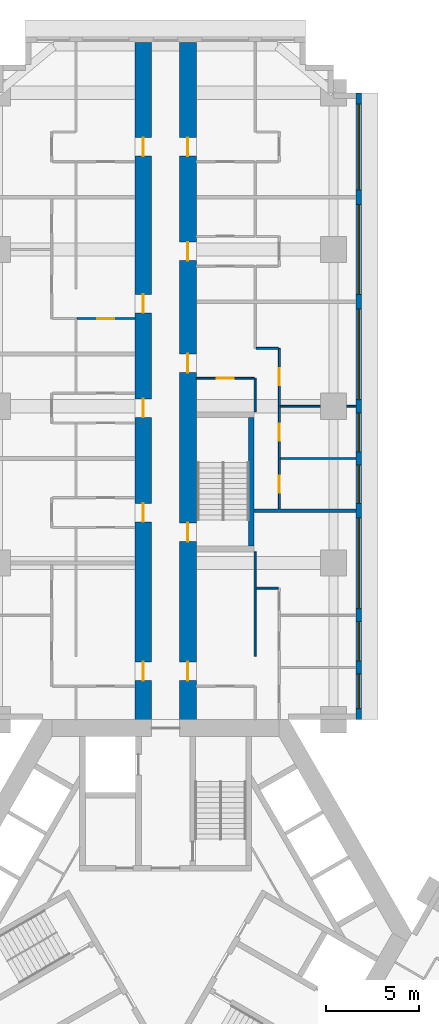
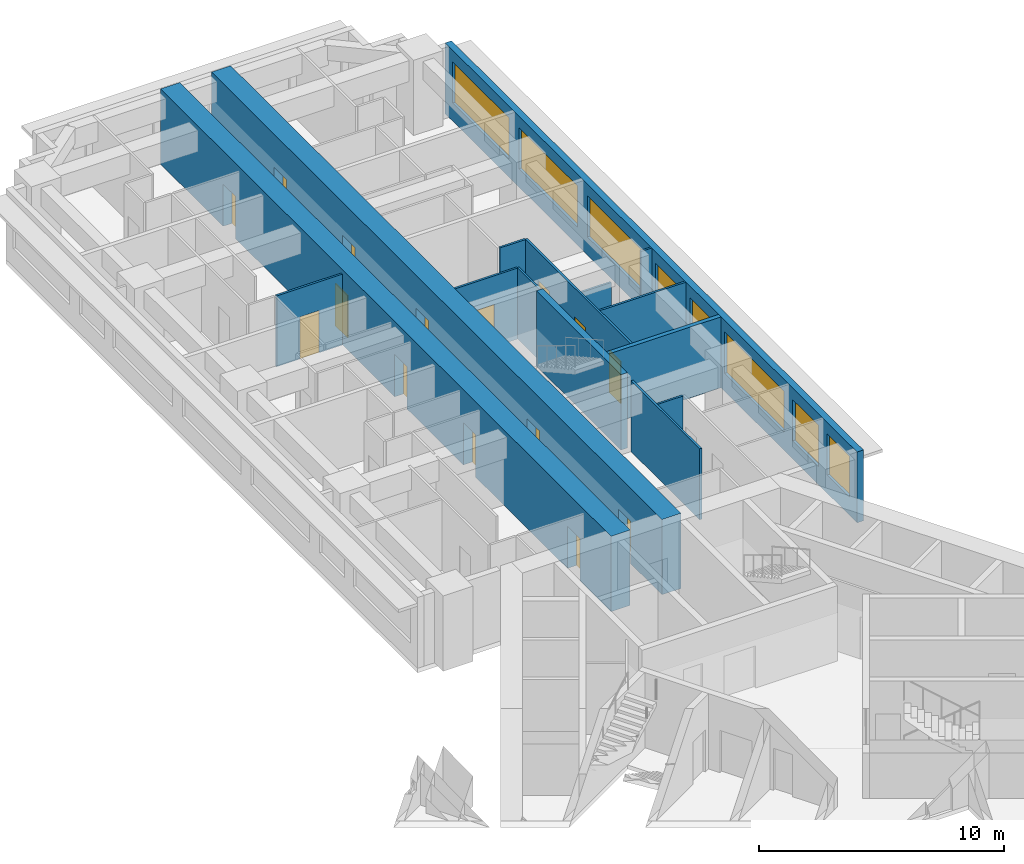
# One storey, part 10 of 16: 15 doors, 15 walls, 8 windows, 23 openings.
"""IFC4 building model written with IfcOpenShell, lengths in metres."""

import ifcopenshell
import ifcopenshell.guid

model = None  # the IFC model being written
_history = None  # IfcOwnerHistory: only IFC2X3 demands one
_inside = {}  # id of a spatial element -> (the spatial element, [elements in it])
_under = {}  # id of a project, library or spatial element -> (it, [spatial elements below it])
_declared = {}  # id of a project -> (the project, [libraries it declares])
_typed = {}  # id of a type object -> (the type object, [elements of that type])
_made_of = {}  # id of a material, layer set ... -> (it, [elements and type objects made of it])


def new_model(schema):
    """Start an empty IFC model of exactly this schema.

    Asked for "IFC4X3", IfcOpenShell would pick the latest addendum, in which some entities
    have other attributes; the version numbers below select the first issue.
    IFC2X3 requires an IfcOwnerHistory on every rooted entity: one is made here for all.
    """
    global model, _history
    if schema == "IFC4X3":
        model = ifcopenshell.file(schema_version=(4, 3, 0, 0))
    else:
        model = ifcopenshell.file(schema=schema)
    _inside.clear()
    _under.clear()
    _declared.clear()
    _typed.clear()
    _made_of.clear()
    _history = None
    if model.schema == "IFC2X3":
        org = make("IfcOrganization", Name="unknown")
        user = make(
            "IfcPersonAndOrganization",
            ThePerson=make("IfcPerson", FamilyName="unknown"),
            TheOrganization=org,
        )
        app = make(
            "IfcApplication",
            ApplicationDeveloper=org,
            Version="unknown",
            ApplicationFullName="unknown",
            ApplicationIdentifier="unknown",
        )
        _history = make(
            "IfcOwnerHistory",
            OwningUser=user,
            OwningApplication=app,
            ChangeAction="ADDED",
            CreationDate=0,
        )
    return model


def make(cls, **values):
    """One entity of the class cls with the attributes given. An attribute that is None is left unset."""
    return model.create_entity(
        cls, **{name: value for name, value in values.items() if value is not None}
    )


def rooted(cls, **values):
    """An entity with a GlobalId (a new one), such as an element, a storey or a relation."""
    return make(cls, GlobalId=ifcopenshell.guid.new(), OwnerHistory=_history, **values)


def si_unit(unit_type, name, prefix=None):
    """IfcSIUnit, for example si_unit("LENGTHUNIT", "METRE", prefix="MILLI")."""
    return make("IfcSIUnit", UnitType=unit_type, Prefix=prefix, Name=name)


def assignment(units):
    """IfcUnitAssignment: the units of a project."""
    return None if units is None else make("IfcUnitAssignment", Units=units)


def point(xyz):
    """IfcCartesianPoint."""
    return None if xyz is None else make("IfcCartesianPoint", Coordinates=xyz)


def direction(xyz):
    """IfcDirection."""
    return None if xyz is None else make("IfcDirection", DirectionRatios=xyz)


def frame(location, z_axis=None, x_axis=None):
    """IfcAxis2Placement3D, a coordinate frame: its origin and axes. An axis left out is left unset."""
    return make(
        "IfcAxis2Placement3D",
        Location=point(location),
        Axis=direction(z_axis),
        RefDirection=direction(x_axis),
    )


def frame_2d(location, x_axis=None):
    """IfcAxis2Placement2D, a coordinate frame in the plane: its origin and x axis."""
    return make(
        "IfcAxis2Placement2D", Location=point(location), RefDirection=direction(x_axis)
    )


def origin():
    """The frame at (0, 0, 0) with its axes left unset."""
    return frame((0.0, 0.0, 0.0))


def place(relative_to, where):
    """IfcLocalPlacement: puts the frame where relative to a parent placement (None: the world)."""
    return make(
        "IfcLocalPlacement", PlacementRelTo=relative_to, RelativePlacement=where
    )


def context(
    kind, dimensions, precision=None, world=None, true_north=None, identifier=None
):
    """IfcGeometricRepresentationContext, for example the 3D "Model" context."""
    return make(
        "IfcGeometricRepresentationContext",
        ContextIdentifier=identifier,
        ContextType=kind,
        CoordinateSpaceDimension=dimensions,
        Precision=precision,
        WorldCoordinateSystem=world,
        TrueNorth=true_north,
    )


def subcontext(parent, identifier, kind, view, scale=None):
    """IfcGeometricRepresentationSubContext, for example "Body" below "Model"."""
    return make(
        "IfcGeometricRepresentationSubContext",
        ContextIdentifier=identifier,
        ContextType=kind,
        ParentContext=parent,
        TargetScale=scale,
        TargetView=view,
    )


def project(units=None, contexts=None):
    """IfcProject with its units and contexts."""
    return rooted(
        "IfcProject",
        Name="project",
        RepresentationContexts=contexts,
        UnitsInContext=assignment(units),
    )


def spatial(cls, under=None, at=None, **own):
    """A site, building, storey or space (cls), placed at a placement, below another one or the project."""
    s = rooted(cls, ObjectPlacement=at, **own)
    if under is not None:
        _under.setdefault(under.id(), (under, []))[1].append(s)
    return s


def profile(cls, at=None, kind="AREA", **sizes):
    """A parametric profile (cls). Its sizes go by their IFC names, for example OverallWidth=200.0."""
    return make(cls, ProfileType=kind, Position=at, **sizes)


def rectangle(**sizes):
    """IfcRectangleProfileDef."""
    return profile("IfcRectangleProfileDef", **sizes)


def extrude(swept, where, along, depth):
    """IfcExtrudedAreaSolid: the profile swept, set in the frame where, extruded along a direction by depth."""
    return make(
        "IfcExtrudedAreaSolid",
        SweptArea=swept,
        Position=where,
        ExtrudedDirection=direction(along),
        Depth=depth,
    )


def shape(context_of_items, identifier, shape_type, items):
    """IfcShapeRepresentation: the items that make up one representation, for example the "Body"."""
    return make(
        "IfcShapeRepresentation",
        ContextOfItems=context_of_items,
        RepresentationIdentifier=identifier,
        RepresentationType=shape_type,
        Items=items,
    )


def material(Name=None, Category=None):
    """IfcMaterial."""
    return make("IfcMaterial", Name=Name, Category=Category)


def layer(
    of_material, thickness, ventilated=None, Name=None, Category=None, Priority=None
):
    """IfcMaterialLayer: one layer of a wall or slab, of a material (None: an air gap)."""
    return make(
        "IfcMaterialLayer",
        Material=of_material,
        LayerThickness=thickness,
        IsVentilated=ventilated,
        Name=Name,
        Category=Category,
        Priority=Priority,
    )


def layer_set(layers, Name=None):
    """IfcMaterialLayerSet."""
    return make("IfcMaterialLayerSet", MaterialLayers=layers, LayerSetName=Name)


def made_of(thing, what):
    """Note that an element or type object is made of a material, layer set ...; save() writes the relation."""
    if what is not None:
        _made_of.setdefault(what.id(), (what, []))[1].append(thing)
    return thing


def type_object(cls, material=None, **own):
    """A type object (cls), such as IfcWallType, which elements share."""
    return made_of(rooted(cls, **own), material)


def element(
    cls,
    number,
    at=None,
    inside=None,
    cuts=None,
    type_object=None,
    material=None,
    context=None,
    identifier="Body",
    shape_type=None,
    held_by="IfcProductDefinitionShape",
    body=None,
    shapes=None,
    **own,
):
    """One element of the class cls, such as IfcWall. Its Tag is "e" and its number.

    at: its placement. inside: the storey or other place that contains it. cuts: it is an
    opening in that element (IfcRelVoidsElement). A single representation is given by context,
    identifier, shape_type and body (its items); several are given by shapes. held_by: the class
    of the entity that holds the representations. save() writes the other relations.
    """
    e = rooted(cls, Tag="e%d" % number, ObjectPlacement=at, **own)
    if body is not None:
        shapes = [shape(context, identifier, shape_type, body)]
    if shapes is not None:
        e.Representation = make(held_by, Representations=shapes)
    if inside is not None:
        _inside.setdefault(inside.id(), (inside, []))[1].append(e)
    if cuts is not None:
        rooted(
            "IfcRelVoidsElement", RelatingBuildingElement=cuts, RelatedOpeningElement=e
        )
    if type_object is not None:
        _typed.setdefault(type_object.id(), (type_object, []))[1].append(e)
    return made_of(e, material)


def fill(opening, filler):
    """IfcRelFillsElement: the door or window that sits in an opening."""
    return rooted(
        "IfcRelFillsElement",
        RelatingOpeningElement=opening,
        RelatedBuildingElement=filler,
    )


def aggregate(whole, parts):
    """IfcRelAggregates: a whole, such as a stair, and the parts it consists of."""
    return rooted("IfcRelAggregates", RelatingObject=whole, RelatedObjects=parts)


def save(model, path):
    """Write the relations noted so far, then the file.

    IfcRelAggregates (storeys below a building ...), IfcRelContainedInSpatialStructure (elements
    in a storey), IfcRelDefinesByType, IfcRelAssociatesMaterial and IfcRelDeclares: one each for
    every whole, place, type object, material and project.
    """
    for whole, parts in _under.values():
        aggregate(whole, parts)
    for where, things in _inside.values():
        rooted(
            "IfcRelContainedInSpatialStructure",
            RelatedElements=things,
            RelatingStructure=where,
        )
    for kind, things in _typed.values():
        rooted("IfcRelDefinesByType", RelatedObjects=things, RelatingType=kind)
    for what, things in _made_of.values():
        rooted("IfcRelAssociatesMaterial", RelatedObjects=things, RelatingMaterial=what)
    for by, libraries in _declared.values():
        rooted("IfcRelDeclares", RelatingContext=by, RelatedDefinitions=libraries)
    model.write(path)


model = new_model("IFC4")

# Units and contexts
model_context = context("Model", 3, precision=1e-05, world=origin(), true_north=direction((0.0, 1.0)))
body_context = subcontext(model_context, "Body", "Model", "MODEL_VIEW")
ifc_project = project(units=[si_unit("LENGTHUNIT", "METRE"), si_unit("AREAUNIT", "SQUARE_METRE"), si_unit("VOLUMEUNIT", "CUBIC_METRE"), si_unit("PLANEANGLEUNIT", "RADIAN"), si_unit("MASSUNIT", "GRAM", prefix="KILO")], contexts=[model_context])

# Site, building, storey
site_placement = place(None, origin())
site = spatial("IfcSite", under=ifc_project, at=site_placement, CompositionType="ELEMENT")
building_placement = place(site_placement, origin())
building = spatial("IfcBuilding", under=site, at=building_placement, Name="Impinga Residences", CompositionType="ELEMENT")
storey_placement = place(building_placement, frame((0.0, 0.0, 63.5)))
storey = spatial("IfcBuildingStorey", under=building, at=storey_placement, Name="L15", CompositionType="ELEMENT", Elevation=63.5)

# Wall, openings, doors
ifc_material_1 = material(Name="Concrete C70/85", Category="concrete")
ifc_layer_1 = layer(ifc_material_1, 0.89990234375)
ifc_layer_set_1 = layer_set([ifc_layer_1], Name="Concrete C70/85")
wall_type_1 = type_object("IfcWallType", Name="BW1 corridor buttress wall, L05 to L22 900", PredefinedType="SHEAR", material=ifc_layer_set_1)
wall_1_placement = place(storey_placement, frame((-1.199951171875, 10.9814453125, 0.0), z_axis=(0.0, 0.0, 1.0), x_axis=(0.0, 1.0, 0.0)))
wall_1 = element("IfcWall", 1, at=wall_1_placement, inside=storey, type_object=wall_type_1, Name="Corridor wall BW1 NC L15", PredefinedType="SHEAR", context=body_context, shape_type="SweptSolid", body=[
    extrude(rectangle(XDim=36.75, YDim=0.89990234375, at=frame_2d((18.375, 0.0))), origin(), (0.0, 0.0, 1.0), 3.75),
])
opening_1_placement = place(wall_1_placement, frame((2.550048828125, 0.0, 0.0)))
opening_1 = element("IfcOpeningElement", 2, at=opening_1_placement, cuts=wall_1, Name="Opening D1", PredefinedType="OPENING", context=body_context, shape_type="SweptSolid", body=[
    extrude(rectangle(XDim=1.0, YDim=2.10009765625, at=frame_2d((0.5, 1.050048828125))), frame((0.0, 0.4599609375, 0.0), z_axis=(0.0, -1.0, 0.0), x_axis=(1.0, 0.0, 0.0)), (0.0, 0.0, 1.0), 0.919921875),
])
opening_2_placement = place(wall_1_placement, frame((11.050048828125, 0.0, 0.0)))
opening_2 = element("IfcOpeningElement", 3, at=opening_2_placement, cuts=wall_1, Name="Opening D1", PredefinedType="OPENING", context=body_context, shape_type="SweptSolid", body=[
    extrude(rectangle(XDim=1.0, YDim=2.10009765625, at=frame_2d((0.5, 1.050048828125))), frame((0.0, 0.4599609375, 0.0), z_axis=(0.0, -1.0, 0.0), x_axis=(1.0, 0.0, 0.0)), (0.0, 0.0, 1.0), 0.919921875),
])
opening_3_placement = place(wall_1_placement, frame((16.64990234375, 0.0, 0.0)))
opening_3 = element("IfcOpeningElement", 4, at=opening_3_placement, cuts=wall_1, Name="Opening D1", PredefinedType="OPENING", context=body_context, shape_type="SweptSolid", body=[
    extrude(rectangle(XDim=1.0, YDim=2.10009765625, at=frame_2d((0.5, 1.050048828125))), frame((0.0, 0.4599609375, 0.0), z_axis=(0.0, -1.0, 0.0), x_axis=(1.0, 0.0, 0.0)), (0.0, 0.0, 1.0), 0.919921875),
])
opening_4_placement = place(wall_1_placement, frame((22.25, 0.0, 0.0)))
opening_4 = element("IfcOpeningElement", 5, at=opening_4_placement, cuts=wall_1, Name="Opening D1", PredefinedType="OPENING", context=body_context, shape_type="SweptSolid", body=[
    extrude(rectangle(XDim=1.0, YDim=2.10009765625, at=frame_2d((0.5, 1.050048828125))), frame((0.0, 0.4599609375, 0.0), z_axis=(0.0, -1.0, 0.0), x_axis=(1.0, 0.0, 0.0)), (0.0, 0.0, 1.0), 0.919921875),
])
opening_5_placement = place(wall_1_placement, frame((30.64990234375, 0.0, 0.0)))
opening_5 = element("IfcOpeningElement", 6, at=opening_5_placement, cuts=wall_1, Name="Opening D1", PredefinedType="OPENING", context=body_context, shape_type="SweptSolid", body=[
    extrude(rectangle(XDim=1.0, YDim=2.10009765625, at=frame_2d((0.5, 1.050048828125))), frame((0.0, 0.4599609375, 0.0), z_axis=(0.0, -1.0, 0.0), x_axis=(1.0, 0.0, 0.0)), (0.0, 0.0, 1.0), 0.919921875),
])
ifc_material_2 = material(Name="Timber door set", Category="wood")
door_type_1 = type_object("IfcDoorType", Name="D1 apartment entrance door 1000x2100", OperationType="SINGLE_SWING_LEFT", PredefinedType="DOOR", material=ifc_material_2)
door_1_placement = place(opening_1_placement, origin())
door_1 = element("IfcDoor", 7, at=door_1_placement, inside=storey, type_object=door_type_1, Name="Apartment L15-NA1 entrance", OperationType="SINGLE_SWING_LEFT", OverallHeight=2.10009765625, OverallWidth=1.0, PredefinedType="DOOR", context=body_context, shape_type="SweptSolid", body=[
    extrude(rectangle(XDim=1.0, YDim=2.10009765625, at=frame_2d((0.5, 1.050048828125))), frame((0.0, 0.02490234375, 0.0), z_axis=(0.0, -1.0, 0.0), x_axis=(1.0, 0.0, 0.0)), (0.0, 0.0, 1.0), 0.050048828125),
])
fill(opening_1, door_1)
door_2_placement = place(opening_2_placement, origin())
door_2 = element("IfcDoor", 8, at=door_2_placement, inside=storey, type_object=door_type_1, Name="Apartment L15-NA2 entrance", OperationType="SINGLE_SWING_LEFT", OverallHeight=2.10009765625, OverallWidth=1.0, PredefinedType="DOOR", context=body_context, shape_type="SweptSolid", body=[
    extrude(rectangle(XDim=1.0, YDim=2.10009765625, at=frame_2d((0.5, 1.050048828125))), frame((0.0, 0.02490234375, 0.0), z_axis=(0.0, -1.0, 0.0), x_axis=(1.0, 0.0, 0.0)), (0.0, 0.0, 1.0), 0.050048828125),
])
fill(opening_2, door_2)
door_3_placement = place(opening_3_placement, origin())
door_3 = element("IfcDoor", 9, at=door_3_placement, inside=storey, type_object=door_type_1, Name="Apartment L15-NA3 entrance", OperationType="SINGLE_SWING_LEFT", OverallHeight=2.10009765625, OverallWidth=1.0, PredefinedType="DOOR", context=body_context, shape_type="SweptSolid", body=[
    extrude(rectangle(XDim=1.0, YDim=2.10009765625, at=frame_2d((0.5, 1.050048828125))), frame((0.0, 0.02490234375, 0.0), z_axis=(0.0, -1.0, 0.0), x_axis=(1.0, 0.0, 0.0)), (0.0, 0.0, 1.0), 0.050048828125),
])
fill(opening_3, door_3)
door_4_placement = place(opening_4_placement, origin())
door_4 = element("IfcDoor", 10, at=door_4_placement, inside=storey, type_object=door_type_1, Name="Apartment L15-NA4 entrance", OperationType="SINGLE_SWING_RIGHT", OverallHeight=2.10009765625, OverallWidth=1.0, PredefinedType="DOOR", context=body_context, shape_type="SweptSolid", body=[
    extrude(rectangle(XDim=1.0, YDim=2.10009765625, at=frame_2d((0.5, 1.050048828125))), frame((0.0, 0.02490234375, 0.0), z_axis=(0.0, -1.0, 0.0), x_axis=(1.0, 0.0, 0.0)), (0.0, 0.0, 1.0), 0.050048828125),
])
fill(opening_4, door_4)
door_5_placement = place(opening_5_placement, origin())
door_5 = element("IfcDoor", 11, at=door_5_placement, inside=storey, type_object=door_type_1, Name="Apartment L15-NA5 entrance", OperationType="SINGLE_SWING_RIGHT", OverallHeight=2.10009765625, OverallWidth=1.0, PredefinedType="DOOR", context=body_context, shape_type="SweptSolid", body=[
    extrude(rectangle(XDim=1.0, YDim=2.10009765625, at=frame_2d((0.5, 1.050048828125))), frame((0.0, 0.02490234375, 0.0), z_axis=(0.0, -1.0, 0.0), x_axis=(1.0, 0.0, 0.0)), (0.0, 0.0, 1.0), 0.050048828125),
])
fill(opening_5, door_5)

wall_2_placement = place(storey_placement, frame((1.199951171875, 10.9814453125, 0.0), z_axis=(0.0, 0.0, 1.0), x_axis=(0.0, 1.0, 0.0)))
wall_2 = element("IfcWall", 12, at=wall_2_placement, inside=storey, type_object=wall_type_1, Name="Corridor wall BW1 ND L15", PredefinedType="SHEAR", context=body_context, shape_type="SweptSolid", body=[
    extrude(rectangle(XDim=36.75, YDim=0.89990234375, at=frame_2d((18.375, 0.0))), origin(), (0.0, 0.0, 1.0), 3.75),
])
opening_6_placement = place(wall_2_placement, frame((10.0, 0.0, 0.0)))
opening_6 = element("IfcOpeningElement", 13, at=opening_6_placement, cuts=wall_2, Name="Opening D5", PredefinedType="OPENING", context=body_context, shape_type="SweptSolid", body=[
    extrude(rectangle(XDim=1.0, YDim=2.10009765625, at=frame_2d((0.5, 1.050048828125))), frame((0.0, 0.4599609375, 0.0), z_axis=(0.0, -1.0, 0.0), x_axis=(1.0, 0.0, 0.0)), (0.0, 0.0, 1.0), 0.919921875),
])
opening_7_placement = place(wall_2_placement, frame((2.550048828125, 0.0, 0.0)))
opening_7 = element("IfcOpeningElement", 14, at=opening_7_placement, cuts=wall_2, Name="Opening D1", PredefinedType="OPENING", context=body_context, shape_type="SweptSolid", body=[
    extrude(rectangle(XDim=1.0, YDim=2.10009765625, at=frame_2d((0.5, 1.050048828125))), frame((0.0, 0.4599609375, 0.0), z_axis=(0.0, -1.0, 0.0), x_axis=(1.0, 0.0, 0.0)), (0.0, 0.0, 1.0), 0.919921875),
])
opening_8_placement = place(wall_2_placement, frame((19.050048828125, 0.0, 0.0)))
opening_8 = element("IfcOpeningElement", 15, at=opening_8_placement, cuts=wall_2, Name="Opening D1", PredefinedType="OPENING", context=body_context, shape_type="SweptSolid", body=[
    extrude(rectangle(XDim=1.0, YDim=2.10009765625, at=frame_2d((0.5, 1.050048828125))), frame((0.0, 0.4599609375, 0.0), z_axis=(0.0, -1.0, 0.0), x_axis=(1.0, 0.0, 0.0)), (0.0, 0.0, 1.0), 0.919921875),
])
opening_9_placement = place(wall_2_placement, frame((25.050048828125, 0.0, 0.0)))
opening_9 = element("IfcOpeningElement", 16, at=opening_9_placement, cuts=wall_2, Name="Opening D1", PredefinedType="OPENING", context=body_context, shape_type="SweptSolid", body=[
    extrude(rectangle(XDim=1.0, YDim=2.10009765625, at=frame_2d((0.5, 1.050048828125))), frame((0.0, 0.4599609375, 0.0), z_axis=(0.0, -1.0, 0.0), x_axis=(1.0, 0.0, 0.0)), (0.0, 0.0, 1.0), 0.919921875),
])
opening_10_placement = place(wall_2_placement, frame((30.64990234375, 0.0, 0.0)))
opening_10 = element("IfcOpeningElement", 17, at=opening_10_placement, cuts=wall_2, Name="Opening D1", PredefinedType="OPENING", context=body_context, shape_type="SweptSolid", body=[
    extrude(rectangle(XDim=1.0, YDim=2.10009765625, at=frame_2d((0.5, 1.050048828125))), frame((0.0, 0.4599609375, 0.0), z_axis=(0.0, -1.0, 0.0), x_axis=(1.0, 0.0, 0.0)), (0.0, 0.0, 1.0), 0.919921875),
])
door_6_placement = place(opening_7_placement, origin())
door_6 = element("IfcDoor", 18, at=door_6_placement, inside=storey, type_object=door_type_1, Name="Apartment L15-NF1 entrance", OperationType="SINGLE_SWING_LEFT", OverallHeight=2.10009765625, OverallWidth=1.0, PredefinedType="DOOR", context=body_context, shape_type="SweptSolid", body=[
    extrude(rectangle(XDim=1.0, YDim=2.10009765625, at=frame_2d((0.5, 1.050048828125))), frame((0.0, 0.02490234375, 0.0), z_axis=(0.0, -1.0, 0.0), x_axis=(1.0, 0.0, 0.0)), (0.0, 0.0, 1.0), 0.050048828125),
])
fill(opening_7, door_6)
door_7_placement = place(opening_8_placement, origin())
door_7 = element("IfcDoor", 19, at=door_7_placement, inside=storey, type_object=door_type_1, Name="Apartment L15-NF2 entrance", OperationType="SINGLE_SWING_RIGHT", OverallHeight=2.10009765625, OverallWidth=1.0, PredefinedType="DOOR", context=body_context, shape_type="SweptSolid", body=[
    extrude(rectangle(XDim=1.0, YDim=2.10009765625, at=frame_2d((0.5, 1.050048828125))), frame((0.0, 0.02490234375, 0.0), z_axis=(0.0, -1.0, 0.0), x_axis=(1.0, 0.0, 0.0)), (0.0, 0.0, 1.0), 0.050048828125),
])
fill(opening_8, door_7)
door_8_placement = place(opening_9_placement, origin())
door_8 = element("IfcDoor", 20, at=door_8_placement, inside=storey, type_object=door_type_1, Name="Apartment L15-NF3 entrance", OperationType="SINGLE_SWING_RIGHT", OverallHeight=2.10009765625, OverallWidth=1.0, PredefinedType="DOOR", context=body_context, shape_type="SweptSolid", body=[
    extrude(rectangle(XDim=1.0, YDim=2.10009765625, at=frame_2d((0.5, 1.050048828125))), frame((0.0, 0.02490234375, 0.0), z_axis=(0.0, -1.0, 0.0), x_axis=(1.0, 0.0, 0.0)), (0.0, 0.0, 1.0), 0.050048828125),
])
fill(opening_9, door_8)
door_9_placement = place(opening_10_placement, origin())
door_9 = element("IfcDoor", 21, at=door_9_placement, inside=storey, type_object=door_type_1, Name="Apartment L15-NF4 entrance", OperationType="SINGLE_SWING_RIGHT", OverallHeight=2.10009765625, OverallWidth=1.0, PredefinedType="DOOR", context=body_context, shape_type="SweptSolid", body=[
    extrude(rectangle(XDim=1.0, YDim=2.10009765625, at=frame_2d((0.5, 1.050048828125))), frame((0.0, 0.02490234375, 0.0), z_axis=(0.0, -1.0, 0.0), x_axis=(1.0, 0.0, 0.0)), (0.0, 0.0, 1.0), 0.050048828125),
])
fill(opening_10, door_9)
door_type_2 = type_object("IfcDoorType", Name="D5 stair door 1000x2100", OperationType="SINGLE_SWING_LEFT", PredefinedType="DOOR", material=ifc_material_2)
door_10_placement = place(opening_6_placement, origin())
door_10 = element("IfcDoor", 22, at=door_10_placement, inside=storey, type_object=door_type_2, Name="Wing stair door N", OperationType="SINGLE_SWING_LEFT", OverallHeight=2.10009765625, OverallWidth=1.0, PredefinedType="DOOR", context=body_context, shape_type="SweptSolid", body=[
    extrude(rectangle(XDim=1.0, YDim=2.10009765625, at=frame_2d((0.5, 1.050048828125))), frame((0.0, 0.02490234375, 0.0), z_axis=(0.0, -1.0, 0.0), x_axis=(1.0, 0.0, 0.0)), (0.0, 0.0, 1.0), 0.050048828125),
])
fill(opening_6, door_10)

# Wall, openings, windows
ifc_material_3 = material(Name="Terracotta rainscreen on blockwork", Category="masonry")
ifc_layer_2 = layer(ifc_material_3, 0.300048828125)
ifc_layer_set_2 = layer_set([ifc_layer_2], Name="EW1 external wall, terracotta rainscreen on blockwork 300")
wall_type_2 = type_object("IfcWallType", Name="EW1 external wall, terracotta rainscreen on blockwork 300", PredefinedType="SOLIDWALL", material=ifc_layer_set_2)
wall_3_placement = place(storey_placement, frame((10.35009765625, 45.031494140625, 0.0), z_axis=(0.0, 0.0, 1.0), x_axis=(0.0, -1.0, 0.0)))
wall_3 = element("IfcWall", 23, at=wall_3_placement, inside=storey, type_object=wall_type_2, Name="External wall EW1 L15", PredefinedType="SOLIDWALL", context=body_context, shape_type="SweptSolid", body=[
    extrude(rectangle(XDim=33.599853515625, YDim=0.300048828125, at=frame_2d((16.7998046875, 0.0))), origin(), (0.0, 0.0, 1.0), 3.530029296875),
])
opening_11_placement = place(wall_3_placement, frame((0.60009765625, 0.0, 0.89990234375)))
opening_11 = element("IfcOpeningElement", 24, at=opening_11_placement, cuts=wall_3, Name="Opening W3", PredefinedType="OPENING", context=body_context, shape_type="SweptSolid", body=[
    extrude(rectangle(XDim=4.60009765625, YDim=2.050048828125, at=frame_2d((2.300048828125, 1.02490234375))), frame((0.0, 0.159912109375, 0.0), z_axis=(0.0, -1.0, 0.0), x_axis=(1.0, 0.0, 0.0)), (0.0, 0.0, 1.0), 0.320068359375),
])
opening_12_placement = place(wall_3_placement, frame((6.0, 0.0, 0.89990234375)))
opening_12 = element("IfcOpeningElement", 25, at=opening_12_placement, cuts=wall_3, Name="Opening W8", PredefinedType="OPENING", context=body_context, shape_type="SweptSolid", body=[
    extrude(rectangle(XDim=4.800048828125, YDim=2.050048828125, at=frame_2d((2.39990234375, 1.02490234375))), frame((0.0, 0.159912109375, 0.0), z_axis=(0.0, -1.0, 0.0), x_axis=(1.0, 0.0, 0.0)), (0.0, 0.0, 1.0), 0.320068359375),
])
opening_13_placement = place(wall_3_placement, frame((11.60009765625, 0.0, 0.89990234375)))
opening_13 = element("IfcOpeningElement", 26, at=opening_13_placement, cuts=wall_3, Name="Opening W6", PredefinedType="OPENING", context=body_context, shape_type="SweptSolid", body=[
    extrude(rectangle(XDim=4.85009765625, YDim=2.050048828125, at=frame_2d((2.425048828125, 1.02490234375))), frame((0.0, 0.159912109375, 0.0), z_axis=(0.0, -1.0, 0.0), x_axis=(1.0, 0.0, 0.0)), (0.0, 0.0, 1.0), 0.320068359375),
])
opening_14_placement = place(wall_3_placement, frame((17.14990234375, 0.0, 0.89990234375)))
opening_14 = element("IfcOpeningElement", 27, at=opening_14_placement, cuts=wall_3, Name="Opening W9", PredefinedType="OPENING", context=body_context, shape_type="SweptSolid", body=[
    extrude(rectangle(XDim=2.10009765625, YDim=2.050048828125, at=frame_2d((1.050048828125, 1.02490234375))), frame((0.0, 0.159912109375, 0.0), z_axis=(0.0, -1.0, 0.0), x_axis=(1.0, 0.0, 0.0)), (0.0, 0.0, 1.0), 0.320068359375),
])
opening_15_placement = place(wall_3_placement, frame((19.949951171875, 0.0, 0.89990234375)))
opening_15 = element("IfcOpeningElement", 28, at=opening_15_placement, cuts=wall_3, Name="Opening W14", PredefinedType="OPENING", context=body_context, shape_type="SweptSolid", body=[
    extrude(rectangle(XDim=2.050048828125, YDim=2.050048828125, at=frame_2d((1.02490234375, 1.02490234375))), frame((0.0, 0.159912109375, 0.0), z_axis=(0.0, -1.0, 0.0), x_axis=(1.0, 0.0, 0.0)), (0.0, 0.0, 1.0), 0.320068359375),
])
opening_16_placement = place(wall_3_placement, frame((22.800048828125, 0.0, 0.89990234375)))
opening_16 = element("IfcOpeningElement", 29, at=opening_16_placement, cuts=wall_3, Name="Opening W6", PredefinedType="OPENING", context=body_context, shape_type="SweptSolid", body=[
    extrude(rectangle(XDim=4.85009765625, YDim=2.050048828125, at=frame_2d((2.425048828125, 1.02490234375))), frame((0.0, 0.159912109375, 0.0), z_axis=(0.0, -1.0, 0.0), x_axis=(1.0, 0.0, 0.0)), (0.0, 0.0, 1.0), 0.320068359375),
])
opening_17_placement = place(wall_3_placement, frame((28.35009765625, 0.0, 0.89990234375)))
opening_17 = element("IfcOpeningElement", 30, at=opening_17_placement, cuts=wall_3, Name="Opening W9", PredefinedType="OPENING", context=body_context, shape_type="SweptSolid", body=[
    extrude(rectangle(XDim=2.10009765625, YDim=2.050048828125, at=frame_2d((1.050048828125, 1.02490234375))), frame((0.0, 0.159912109375, 0.0), z_axis=(0.0, -1.0, 0.0), x_axis=(1.0, 0.0, 0.0)), (0.0, 0.0, 1.0), 0.320068359375),
])
opening_18_placement = place(wall_3_placement, frame((31.14990234375, 0.0, 0.89990234375)))
opening_18 = element("IfcOpeningElement", 31, at=opening_18_placement, cuts=wall_3, Name="Opening W15", PredefinedType="OPENING", context=body_context, shape_type="SweptSolid", body=[
    extrude(rectangle(XDim=1.85009765625, YDim=2.050048828125, at=frame_2d((0.925048828125, 1.02490234375))), frame((0.0, 0.159912109375, 0.0), z_axis=(0.0, -1.0, 0.0), x_axis=(1.0, 0.0, 0.0)), (0.0, 0.0, 1.0), 0.320068359375),
])
ifc_material_4 = material(Name="Aluminium window, clear double glazing", Category="aluminium")
window_type_1 = type_object("IfcWindowType", Name="W14 ribbon window 2050x2050", PartitioningType="SINGLE_PANEL", PredefinedType="WINDOW", material=ifc_material_4)
window_1_placement = place(opening_15_placement, origin())
window_1 = element("IfcWindow", 32, at=window_1_placement, inside=storey, type_object=window_type_1, Name="Window L15", OverallHeight=2.050048828125, OverallWidth=2.050048828125, PartitioningType="SINGLE_PANEL", PredefinedType="WINDOW", context=body_context, shape_type="SweptSolid", body=[
    extrude(rectangle(XDim=2.050048828125, YDim=2.050048828125, at=frame_2d((1.02490234375, 1.02490234375))), frame((0.0, 0.030029296875, 0.0), z_axis=(0.0, -1.0, 0.0), x_axis=(1.0, 0.0, 0.0)), (0.0, 0.0, 1.0), 0.06005859375),
])
fill(opening_15, window_1)
window_type_2 = type_object("IfcWindowType", Name="W15 ribbon window 1850x2050", PartitioningType="SINGLE_PANEL", PredefinedType="WINDOW", material=ifc_material_4)
window_2_placement = place(opening_18_placement, origin())
window_2 = element("IfcWindow", 33, at=window_2_placement, inside=storey, type_object=window_type_2, Name="Window L15", OverallHeight=2.050048828125, OverallWidth=1.85009765625, PartitioningType="SINGLE_PANEL", PredefinedType="WINDOW", context=body_context, shape_type="SweptSolid", body=[
    extrude(rectangle(XDim=1.85009765625, YDim=2.050048828125, at=frame_2d((0.925048828125, 1.02490234375))), frame((0.0, 0.030029296875, 0.0), z_axis=(0.0, -1.0, 0.0), x_axis=(1.0, 0.0, 0.0)), (0.0, 0.0, 1.0), 0.06005859375),
])
fill(opening_18, window_2)
window_type_3 = type_object("IfcWindowType", Name="W3 ribbon window 4600x2050", PartitioningType="SINGLE_PANEL", PredefinedType="WINDOW", material=ifc_material_4)
window_3_placement = place(opening_11_placement, origin())
window_3 = element("IfcWindow", 34, at=window_3_placement, inside=storey, type_object=window_type_3, Name="Window L15", OverallHeight=2.050048828125, OverallWidth=4.60009765625, PartitioningType="SINGLE_PANEL", PredefinedType="WINDOW", context=body_context, shape_type="SweptSolid", body=[
    extrude(rectangle(XDim=4.60009765625, YDim=2.050048828125, at=frame_2d((2.300048828125, 1.02490234375))), frame((0.0, 0.030029296875, 0.0), z_axis=(0.0, -1.0, 0.0), x_axis=(1.0, 0.0, 0.0)), (0.0, 0.0, 1.0), 0.06005859375),
])
fill(opening_11, window_3)
window_type_4 = type_object("IfcWindowType", Name="W6 ribbon window 4850x2050", PartitioningType="SINGLE_PANEL", PredefinedType="WINDOW", material=ifc_material_4)
window_4_placement = place(opening_13_placement, origin())
window_4 = element("IfcWindow", 35, at=window_4_placement, inside=storey, type_object=window_type_4, Name="Window L15", OverallHeight=2.050048828125, OverallWidth=4.85009765625, PartitioningType="SINGLE_PANEL", PredefinedType="WINDOW", context=body_context, shape_type="SweptSolid", body=[
    extrude(rectangle(XDim=4.85009765625, YDim=2.050048828125, at=frame_2d((2.425048828125, 1.02490234375))), frame((0.0, 0.030029296875, 0.0), z_axis=(0.0, -1.0, 0.0), x_axis=(1.0, 0.0, 0.0)), (0.0, 0.0, 1.0), 0.06005859375),
])
fill(opening_13, window_4)
window_5_placement = place(opening_16_placement, origin())
window_5 = element("IfcWindow", 36, at=window_5_placement, inside=storey, type_object=window_type_4, Name="Window L15", OverallHeight=2.050048828125, OverallWidth=4.85009765625, PartitioningType="SINGLE_PANEL", PredefinedType="WINDOW", context=body_context, shape_type="SweptSolid", body=[
    extrude(rectangle(XDim=4.85009765625, YDim=2.050048828125, at=frame_2d((2.425048828125, 1.02490234375))), frame((0.0, 0.030029296875, 0.0), z_axis=(0.0, -1.0, 0.0), x_axis=(1.0, 0.0, 0.0)), (0.0, 0.0, 1.0), 0.06005859375),
])
fill(opening_16, window_5)
window_type_5 = type_object("IfcWindowType", Name="W8 ribbon window 4800x2050", PartitioningType="SINGLE_PANEL", PredefinedType="WINDOW", material=ifc_material_4)
window_6_placement = place(opening_12_placement, origin())
window_6 = element("IfcWindow", 37, at=window_6_placement, inside=storey, type_object=window_type_5, Name="Window L15", OverallHeight=2.050048828125, OverallWidth=4.800048828125, PartitioningType="SINGLE_PANEL", PredefinedType="WINDOW", context=body_context, shape_type="SweptSolid", body=[
    extrude(rectangle(XDim=4.800048828125, YDim=2.050048828125, at=frame_2d((2.39990234375, 1.02490234375))), frame((0.0, 0.030029296875, 0.0), z_axis=(0.0, -1.0, 0.0), x_axis=(1.0, 0.0, 0.0)), (0.0, 0.0, 1.0), 0.06005859375),
])
fill(opening_12, window_6)
window_type_6 = type_object("IfcWindowType", Name="W9 ribbon window 2100x2050", PartitioningType="SINGLE_PANEL", PredefinedType="WINDOW", material=ifc_material_4)
window_7_placement = place(opening_14_placement, origin())
window_7 = element("IfcWindow", 38, at=window_7_placement, inside=storey, type_object=window_type_6, Name="Window L15", OverallHeight=2.050048828125, OverallWidth=2.10009765625, PartitioningType="SINGLE_PANEL", PredefinedType="WINDOW", context=body_context, shape_type="SweptSolid", body=[
    extrude(rectangle(XDim=2.10009765625, YDim=2.050048828125, at=frame_2d((1.050048828125, 1.02490234375))), frame((0.0, 0.030029296875, 0.0), z_axis=(0.0, -1.0, 0.0), x_axis=(1.0, 0.0, 0.0)), (0.0, 0.0, 1.0), 0.06005859375),
])
fill(opening_14, window_7)
window_8_placement = place(opening_17_placement, origin())
window_8 = element("IfcWindow", 39, at=window_8_placement, inside=storey, type_object=window_type_6, Name="Window L15", OverallHeight=2.050048828125, OverallWidth=2.10009765625, PartitioningType="SINGLE_PANEL", PredefinedType="WINDOW", context=body_context, shape_type="SweptSolid", body=[
    extrude(rectangle(XDim=2.10009765625, YDim=2.050048828125, at=frame_2d((1.050048828125, 1.02490234375))), frame((0.0, 0.030029296875, 0.0), z_axis=(0.0, -1.0, 0.0), x_axis=(1.0, 0.0, 0.0)), (0.0, 0.0, 1.0), 0.06005859375),
])
fill(opening_17, window_8)

# Wall, opening, door
ifc_material_5 = material(Name="Gypsum board on steel studs", Category="steel")
ifc_layer_3 = layer(ifc_material_5, 0.10009765625)
ifc_layer_set_3 = layer_set([ifc_layer_3], Name="Gypsum board on steel studs")
wall_type_3 = type_object("IfcWallType", Name="IP1 partition 100", PredefinedType="PARTITIONING", material=ifc_layer_set_3)
wall_4_placement = place(storey_placement, frame((-1.64990234375, 32.931640625, 0.0), z_axis=(0.0, 0.0, 1.0), x_axis=(-1.0, 0.0, 0.0)))
wall_4 = element("IfcWall", 40, at=wall_4_placement, inside=storey, type_object=wall_type_3, Name="Partition L15-NA4:IB1", PredefinedType="PARTITIONING", context=body_context, shape_type="SweptSolid", body=[
    extrude(rectangle(XDim=3.10009765625, YDim=0.10009765625, at=frame_2d((1.550048828125, 0.0))), origin(), (0.0, 0.0, 1.0), 3.530029296875),
])
opening_19_placement = place(wall_4_placement, frame((1.10009765625, 0.0, 0.0)))
opening_19 = element("IfcOpeningElement", 41, at=opening_19_placement, cuts=wall_4, Name="Opening D2", PredefinedType="OPENING", context=body_context, shape_type="SweptSolid", body=[
    extrude(rectangle(XDim=0.89990234375, YDim=2.10009765625, at=frame_2d((0.449951171875, 1.050048828125))), frame((0.0, 0.06005859375, 0.0), z_axis=(0.0, -1.0, 0.0), x_axis=(1.0, 0.0, 0.0)), (0.0, 0.0, 1.0), 0.1201171875),
])
door_type_3 = type_object("IfcDoorType", Name="D2 internal door 900x2100", OperationType="SINGLE_SWING_LEFT", PredefinedType="DOOR", material=ifc_material_2)
door_11_placement = place(opening_19_placement, origin())
door_11 = element("IfcDoor", 42, at=door_11_placement, inside=storey, type_object=door_type_3, Name="Apartment L15-NA4 bathroom door", OperationType="SINGLE_SWING_LEFT", OverallHeight=2.10009765625, OverallWidth=0.89990234375, PredefinedType="DOOR", context=body_context, shape_type="SweptSolid", body=[
    extrude(rectangle(XDim=0.89990234375, YDim=2.10009765625, at=frame_2d((0.449951171875, 1.050048828125))), frame((0.0, 0.02490234375, 0.0), z_axis=(0.0, -1.0, 0.0), x_axis=(1.0, 0.0, 0.0)), (0.0, 0.0, 1.0), 0.050048828125),
])
fill(opening_19, door_11)

# Walls
wall_5_placement = place(storey_placement, frame((4.800048828125, 14.83154296875, 0.0), z_axis=(0.0, 0.0, 1.0), x_axis=(0.0, 1.0, 0.0)))
element("IfcWall", 43, at=wall_5_placement, inside=storey, type_object=wall_type_3, Name="Partition L15-NF1:DIV1", PredefinedType="PARTITIONING", context=body_context, shape_type="SweptSolid", body=[
    extrude(rectangle(XDim=5.60009765625, YDim=0.10009765625, at=frame_2d((2.800048828125, 0.0))), origin(), (0.0, 0.0, 1.0), 3.530029296875),
])
wall_6_placement = place(storey_placement, frame((4.85009765625, 18.4814453125, 0.0), z_axis=(0.0, 0.0, 1.0), x_axis=(1.0, 0.0, 0.0)))
element("IfcWall", 44, at=wall_6_placement, inside=storey, type_object=wall_type_3, Name="Partition L15-NF1:SE1", PredefinedType="PARTITIONING", context=body_context, shape_type="SweptSolid", body=[
    extrude(rectangle(XDim=1.199951171875, YDim=0.10009765625, at=frame_2d((0.60009765625, 0.0))), origin(), (0.0, 0.0, 1.0), 3.530029296875),
])
wall_7_placement = place(storey_placement, frame((4.800048828125, 27.931640625, 0.0), z_axis=(0.0, 0.0, 1.0), x_axis=(0.0, 1.0, 0.0)))
element("IfcWall", 45, at=wall_7_placement, inside=storey, type_object=wall_type_3, Name="Partition L15-NF2:DIV0", PredefinedType="PARTITIONING", context=body_context, shape_type="SweptSolid", body=[
    extrude(rectangle(XDim=1.7998046875, YDim=0.10009765625, at=frame_2d((0.89990234375, 0.0))), origin(), (0.0, 0.0, 1.0), 3.530029296875),
])

# Wall, openings, doors
wall_8_placement = place(storey_placement, frame((6.10009765625, 22.7314453125, 0.0), z_axis=(0.0, 0.0, 1.0), x_axis=(0.0, 1.0, 0.0)))
wall_8 = element("IfcWall", 46, at=wall_8_placement, inside=storey, type_object=wall_type_3, Name="Partition L15-NF2:STRIP", PredefinedType="PARTITIONING", context=body_context, shape_type="SweptSolid", body=[
    extrude(rectangle(XDim=8.60009765625, YDim=0.10009765625, at=frame_2d((4.300048828125, 0.0))), origin(), (0.0, 0.0, 1.0), 3.530029296875),
])
opening_20_placement = place(wall_8_placement, frame((0.875, 0.0, 0.0)))
opening_20 = element("IfcOpeningElement", 47, at=opening_20_placement, cuts=wall_8, Name="Opening D2", PredefinedType="OPENING", context=body_context, shape_type="SweptSolid", body=[
    extrude(rectangle(XDim=0.89990234375, YDim=2.10009765625, at=frame_2d((0.449951171875, 1.050048828125))), frame((0.0, 0.06005859375, 0.0), z_axis=(0.0, -1.0, 0.0), x_axis=(1.0, 0.0, 0.0)), (0.0, 0.0, 1.0), 0.1201171875),
])
opening_21_placement = place(wall_8_placement, frame((3.64990234375, 0.0, 0.0)))
opening_21 = element("IfcOpeningElement", 48, at=opening_21_placement, cuts=wall_8, Name="Opening D2", PredefinedType="OPENING", context=body_context, shape_type="SweptSolid", body=[
    extrude(rectangle(XDim=0.89990234375, YDim=2.10009765625, at=frame_2d((0.449951171875, 1.050048828125))), frame((0.0, 0.06005859375, 0.0), z_axis=(0.0, -1.0, 0.0), x_axis=(1.0, 0.0, 0.0)), (0.0, 0.0, 1.0), 0.1201171875),
])
opening_22_placement = place(wall_8_placement, frame((6.625, 0.0, 0.0)))
opening_22 = element("IfcOpeningElement", 49, at=opening_22_placement, cuts=wall_8, Name="Opening D2", PredefinedType="OPENING", context=body_context, shape_type="SweptSolid", body=[
    extrude(rectangle(XDim=0.89990234375, YDim=2.10009765625, at=frame_2d((0.449951171875, 1.050048828125))), frame((0.0, 0.06005859375, 0.0), z_axis=(0.0, -1.0, 0.0), x_axis=(1.0, 0.0, 0.0)), (0.0, 0.0, 1.0), 0.1201171875),
])
door_12_placement = place(opening_20_placement, origin())
door_12 = element("IfcDoor", 50, at=door_12_placement, inside=storey, type_object=door_type_3, Name="Apartment L15-NF2 room door", OperationType="SINGLE_SWING_LEFT", OverallHeight=2.10009765625, OverallWidth=0.89990234375, PredefinedType="DOOR", context=body_context, shape_type="SweptSolid", body=[
    extrude(rectangle(XDim=0.89990234375, YDim=2.10009765625, at=frame_2d((0.449951171875, 1.050048828125))), frame((0.0, 0.02490234375, 0.0), z_axis=(0.0, -1.0, 0.0), x_axis=(1.0, 0.0, 0.0)), (0.0, 0.0, 1.0), 0.050048828125),
])
fill(opening_20, door_12)
door_13_placement = place(opening_21_placement, origin())
door_13 = element("IfcDoor", 51, at=door_13_placement, inside=storey, type_object=door_type_3, Name="Apartment L15-NF2 room door", OperationType="SINGLE_SWING_LEFT", OverallHeight=2.10009765625, OverallWidth=0.89990234375, PredefinedType="DOOR", context=body_context, shape_type="SweptSolid", body=[
    extrude(rectangle(XDim=0.89990234375, YDim=2.10009765625, at=frame_2d((0.449951171875, 1.050048828125))), frame((0.0, 0.02490234375, 0.0), z_axis=(0.0, -1.0, 0.0), x_axis=(1.0, 0.0, 0.0)), (0.0, 0.0, 1.0), 0.050048828125),
])
fill(opening_21, door_13)
door_14_placement = place(opening_22_placement, origin())
door_14 = element("IfcDoor", 52, at=door_14_placement, inside=storey, type_object=door_type_3, Name="Apartment L15-NF2 room door", OperationType="SINGLE_SWING_RIGHT", OverallHeight=2.10009765625, OverallWidth=0.89990234375, PredefinedType="DOOR", context=body_context, shape_type="SweptSolid", body=[
    extrude(rectangle(XDim=0.89990234375, YDim=2.10009765625, at=frame_2d((0.449951171875, 1.050048828125))), frame((0.0, 0.02490234375, 0.0), z_axis=(0.0, -1.0, 0.0), x_axis=(1.0, 0.0, 0.0)), (0.0, 0.0, 1.0), 0.050048828125),
])
fill(opening_22, door_14)

# Wall
wall_9_placement = place(storey_placement, frame((4.85009765625, 31.33154296875, 0.0), z_axis=(0.0, 0.0, 1.0), x_axis=(1.0, 0.0, 0.0)))
element("IfcWall", 53, at=wall_9_placement, inside=storey, type_object=wall_type_3, Name="Partition L15-NF2:SE1", PredefinedType="PARTITIONING", context=body_context, shape_type="SweptSolid", body=[
    extrude(rectangle(XDim=1.199951171875, YDim=0.10009765625, at=frame_2d((0.60009765625, 0.0))), origin(), (0.0, 0.0, 1.0), 3.530029296875),
])

# Wall, opening, door
wall_10_placement = place(storey_placement, frame((1.64990234375, 29.7314453125, 0.0), z_axis=(0.0, 0.0, 1.0), x_axis=(1.0, 0.0, 0.0)))
wall_10 = element("IfcWall", 54, at=wall_10_placement, inside=storey, type_object=wall_type_3, Name="Partition L15-NF2:IB1", PredefinedType="PARTITIONING", context=body_context, shape_type="SweptSolid", body=[
    extrude(rectangle(XDim=3.10009765625, YDim=0.10009765625, at=frame_2d((1.550048828125, 0.0))), origin(), (0.0, 0.0, 1.0), 3.530029296875),
])
opening_23_placement = place(wall_10_placement, frame((1.10009765625, 0.0, 0.0)))
opening_23 = element("IfcOpeningElement", 55, at=opening_23_placement, cuts=wall_10, Name="Opening D2", PredefinedType="OPENING", context=body_context, shape_type="SweptSolid", body=[
    extrude(rectangle(XDim=0.89990234375, YDim=2.10009765625, at=frame_2d((0.449951171875, 1.050048828125))), frame((0.0, 0.06005859375, 0.0), z_axis=(0.0, -1.0, 0.0), x_axis=(1.0, 0.0, 0.0)), (0.0, 0.0, 1.0), 0.1201171875),
])
door_15_placement = place(opening_23_placement, origin())
door_15 = element("IfcDoor", 56, at=door_15_placement, inside=storey, type_object=door_type_3, Name="Apartment L15-NF2 bathroom door", OperationType="SINGLE_SWING_LEFT", OverallHeight=2.10009765625, OverallWidth=0.89990234375, PredefinedType="DOOR", context=body_context, shape_type="SweptSolid", body=[
    extrude(rectangle(XDim=0.89990234375, YDim=2.10009765625, at=frame_2d((0.449951171875, 1.050048828125))), frame((0.0, 0.02490234375, 0.0), z_axis=(0.0, -1.0, 0.0), x_axis=(1.0, 0.0, 0.0)), (0.0, 0.0, 1.0), 0.050048828125),
])
fill(opening_23, door_15)

# Walls
wall_11_placement = place(storey_placement, frame((6.14990234375, 25.431640625, 0.0), z_axis=(0.0, 0.0, 1.0), x_axis=(1.0, 0.0, 0.0)))
element("IfcWall", 57, at=wall_11_placement, inside=storey, type_object=wall_type_3, Name="Partition L15-NF2:OB1", PredefinedType="PARTITIONING", context=body_context, shape_type="SweptSolid", body=[
    extrude(rectangle(XDim=4.050048828125, YDim=0.10009765625, at=frame_2d((2.02490234375, 0.0))), origin(), (0.0, 0.0, 1.0), 3.530029296875),
])
wall_12_placement = place(storey_placement, frame((6.14990234375, 28.2314453125, 0.0), z_axis=(0.0, 0.0, 1.0), x_axis=(1.0, 0.0, 0.0)))
element("IfcWall", 58, at=wall_12_placement, inside=storey, type_object=wall_type_3, Name="Partition L15-NF2:OB2", PredefinedType="PARTITIONING", context=body_context, shape_type="SweptSolid", body=[
    extrude(rectangle(XDim=2.150146484375, YDim=0.10009765625, at=frame_2d((1.0751953125, 0.0))), origin(), (0.0, 0.0, 1.0), 2.47998046875),
])
wall_13_placement = place(storey_placement, frame((9.699951171875, 28.2314453125, 0.0), z_axis=(0.0, 0.0, 1.0), x_axis=(1.0, 0.0, 0.0)))
element("IfcWall", 59, at=wall_13_placement, inside=storey, type_object=wall_type_3, Name="Partition L15-NF2:OB2b", PredefinedType="PARTITIONING", context=body_context, shape_type="SweptSolid", body=[
    extrude(rectangle(XDim=0.5, YDim=0.10009765625, at=frame_2d((0.25, 0.0))), origin(), (0.0, 0.0, 1.0), 3.530029296875),
])
ifc_material_6 = material(Name="Concrete blockwork", Category="masonry")
ifc_layer_4 = layer(ifc_material_6, 0.199951171875)
ifc_layer_set_4 = layer_set([ifc_layer_4], Name="PW1 party wall between apartments 200")
wall_type_4 = type_object("IfcWallType", Name="PW1 party wall between apartments 200", PredefinedType="SOLIDWALL", material=ifc_layer_set_4)
wall_14_placement = place(storey_placement, frame((4.75, 22.631591796875, 0.0), z_axis=(0.0, 0.0, 1.0), x_axis=(1.0, 0.0, 0.0)))
element("IfcWall", 60, at=wall_14_placement, inside=storey, type_object=wall_type_4, Name="Party wall between apartments L15-NF1:PARTY", PredefinedType="SOLIDWALL", context=body_context, shape_type="SweptSolid", body=[
    extrude(rectangle(XDim=5.449951171875, YDim=0.199951171875, at=frame_2d((2.72509765625, 0.0))), origin(), (0.0, 0.0, 1.0), 3.530029296875),
])
ifc_material_7 = material(Name="Concrete C60/75", Category="concrete")
ifc_layer_5 = layer(ifc_material_7, 0.300048828125)
ifc_layer_set_5 = layer_set([ifc_layer_5], Name="Concrete C60/75")
wall_type_5 = type_object("IfcWallType", Name="SE1 wing stair enclosure wall 300", PredefinedType="SOLIDWALL", material=ifc_layer_set_5)
wall_15_placement = place(storey_placement, frame((4.60009765625, 20.7314453125, 0.0), z_axis=(0.0, 0.0, 1.0), x_axis=(0.0, 1.0, 0.0)))
element("IfcWall", 61, at=wall_15_placement, inside=storey, type_object=wall_type_5, Name="Stair enclosure wall SE1 N OUT L15", PredefinedType="SOLIDWALL", context=body_context, shape_type="SweptSolid", body=[
    extrude(rectangle(XDim=6.900146484375, YDim=0.300048828125, at=frame_2d((3.4501953125, 0.0))), origin(), (0.0, 0.0, 1.0), 3.75),
])

save(model, "model.ifc")
